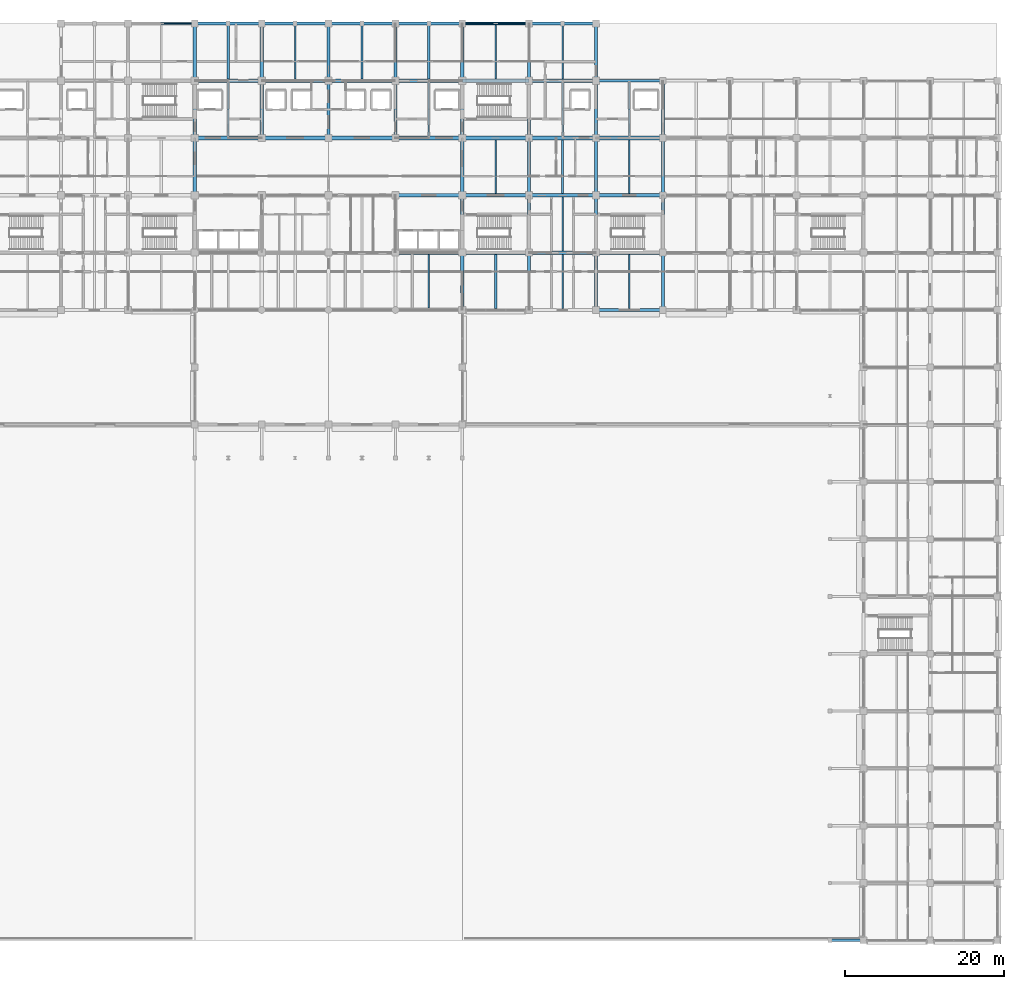
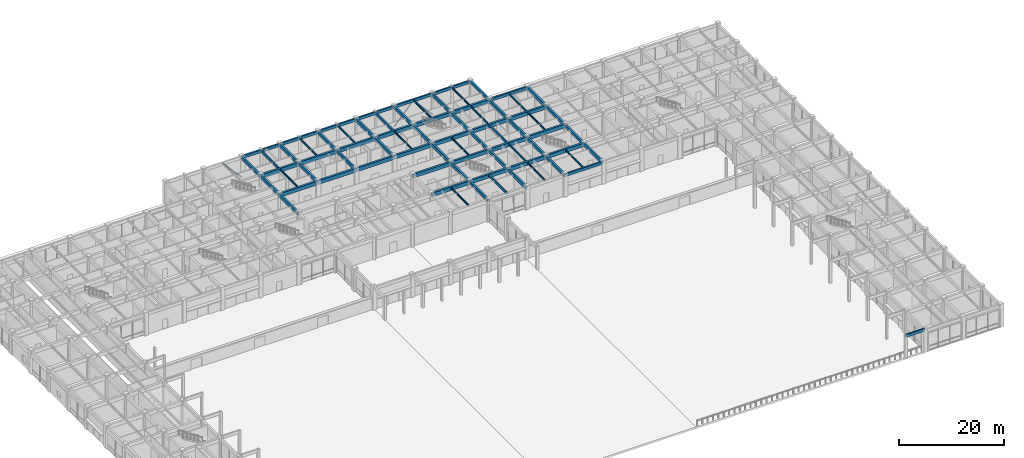
# One storey, part 23 of 73: 76 beams, 3 members.
"""IFC4 building model written with IfcOpenShell, lengths in metres."""

from ifc_helpers import new_model, si_unit, direction, frame, origin, origin_2d, place, context, subcontext, project, spatial, rectangle, hollow_circle, i_section, extrude, material, material_profile, profile_set, type_object, element, save


model = new_model("IFC4")

# Units and contexts
model_context = context("Model", 3, precision=1e-05, world=origin(), true_north=direction((0.0, 1.0)))
body_context = subcontext(model_context, "Body", "Model", "MODEL_VIEW")
ifc_project = project(units=[si_unit("LENGTHUNIT", "METRE"), si_unit("AREAUNIT", "SQUARE_METRE"), si_unit("VOLUMEUNIT", "CUBIC_METRE"), si_unit("PLANEANGLEUNIT", "RADIAN"), si_unit("MASSUNIT", "GRAM", prefix="KILO")], contexts=[model_context])

# Site, building, storey
site_placement = place(None, origin())
site = spatial("IfcSite", under=ifc_project, at=site_placement, CompositionType="ELEMENT")
building_placement = place(site_placement, origin())
building = spatial("IfcBuilding", under=site, at=building_placement, Name="Chengyuan Square Courthouse", CompositionType="ELEMENT")
storey_placement = place(building_placement, origin())
storey = spatial("IfcBuildingStorey", under=building, at=storey_placement, Name="L01", CompositionType="ELEMENT", Elevation=0.0)

# Beams
ifc_material_1 = material(Name="Concrete C40", Category="concrete")
ifc_material_profile_1 = material_profile(ifc_material_1, rectangle(XDim=0.449951171875, YDim=0.85009765625, at=origin_2d()), Name="RC-BM-450x850")
ifc_profile_set_1 = profile_set([ifc_material_profile_1], Name="Concrete C40")
beam_type_1 = type_object("IfcBeamType", Name="BM-01", PredefinedType="USERDEFINED", material=ifc_profile_set_1)
beam_1_placement = place(storey_placement, frame((92.39990234375, 86.39990234375, 4.695068359375), z_axis=(1.0, 0.0, 0.0), x_axis=(0.0, 1.0, 0.0)))
element("IfcBeam", 1, at=beam_1_placement, inside=storey, type_object=beam_type_1, Name="Girder BM-L01-1720", ObjectType="GIRDER", PredefinedType="USERDEFINED", context=body_context, shape_type="SweptSolid", body=[
    extrude(rectangle(XDim=0.449951171875, YDim=0.85009765625, at=origin_2d()), origin(), (0.0, 0.0, 1.0), 8.400146484375),
])
beam_2_placement = place(storey_placement, frame((100.800048828125, 86.39990234375, 4.695068359375), z_axis=(1.0, 0.0, 0.0), x_axis=(0.0, 1.0, 0.0)))
element("IfcBeam", 2, at=beam_2_placement, inside=storey, type_object=beam_type_1, Name="Girder BM-L01-1721", ObjectType="GIRDER", PredefinedType="USERDEFINED", context=body_context, shape_type="SweptSolid", body=[
    extrude(rectangle(XDim=0.449951171875, YDim=0.85009765625, at=origin_2d()), origin(), (0.0, 0.0, 1.0), 8.39990234375),
])
beam_3_placement = place(storey_placement, frame((109.199951171875, 86.39990234375, 4.695068359375), z_axis=(1.0, 0.0, 0.0), x_axis=(0.0, 1.0, 0.0)))
element("IfcBeam", 3, at=beam_3_placement, inside=storey, type_object=beam_type_1, Name="Girder BM-L01-1722", ObjectType="GIRDER", PredefinedType="USERDEFINED", context=body_context, shape_type="SweptSolid", body=[
    extrude(rectangle(XDim=0.449951171875, YDim=0.85009765625, at=origin_2d()), origin(), (0.0, 0.0, 1.0), 8.400146484375),
])
beam_4_placement = place(storey_placement, frame((117.60009765625, 86.39990234375, 4.695068359375), z_axis=(1.0, 0.0, 0.0), x_axis=(0.0, 1.0, 0.0)))
element("IfcBeam", 4, at=beam_4_placement, inside=storey, type_object=beam_type_1, Name="Girder BM-L01-1723", ObjectType="GIRDER", PredefinedType="USERDEFINED", context=body_context, shape_type="SweptSolid", body=[
    extrude(rectangle(XDim=0.449951171875, YDim=0.85009765625, at=origin_2d()), origin(), (0.0, 0.0, 1.0), 8.39990234375),
])
beam_5_placement = place(storey_placement, frame((92.39990234375, 93.60009765625, 4.695068359375), z_axis=(1.0, 0.0, 0.0), x_axis=(0.0, 1.0, 0.0)))
element("IfcBeam", 5, at=beam_5_placement, inside=storey, type_object=beam_type_1, Name="Girder BM-L01-1740", ObjectType="GIRDER", PredefinedType="USERDEFINED", context=body_context, shape_type="SweptSolid", body=[
    extrude(rectangle(XDim=0.449951171875, YDim=0.85009765625, at=origin_2d()), origin(), (0.0, 0.0, 1.0), 8.400146484375),
])
beam_6_placement = place(storey_placement, frame((100.800048828125, 93.60009765625, 4.695068359375), z_axis=(1.0, 0.0, 0.0), x_axis=(0.0, 1.0, 0.0)))
element("IfcBeam", 6, at=beam_6_placement, inside=storey, type_object=beam_type_1, Name="Girder BM-L01-1741", ObjectType="GIRDER", PredefinedType="USERDEFINED", context=body_context, shape_type="SweptSolid", body=[
    extrude(rectangle(XDim=0.449951171875, YDim=0.85009765625, at=origin_2d()), origin(), (0.0, 0.0, 1.0), 8.39990234375),
])
beam_7_placement = place(storey_placement, frame((109.199951171875, 93.60009765625, 4.695068359375), z_axis=(1.0, 0.0, 0.0), x_axis=(0.0, 1.0, 0.0)))
element("IfcBeam", 7, at=beam_7_placement, inside=storey, type_object=beam_type_1, Name="Girder BM-L01-1742", ObjectType="GIRDER", PredefinedType="USERDEFINED", context=body_context, shape_type="SweptSolid", body=[
    extrude(rectangle(XDim=0.449951171875, YDim=0.85009765625, at=origin_2d()), origin(), (0.0, 0.0, 1.0), 8.400146484375),
])
beam_8_placement = place(storey_placement, frame((117.60009765625, 93.60009765625, 4.695068359375), z_axis=(1.0, 0.0, 0.0), x_axis=(0.0, 1.0, 0.0)))
element("IfcBeam", 8, at=beam_8_placement, inside=storey, type_object=beam_type_1, Name="Girder BM-L01-1743", ObjectType="GIRDER", PredefinedType="USERDEFINED", context=body_context, shape_type="SweptSolid", body=[
    extrude(rectangle(XDim=0.449951171875, YDim=0.85009765625, at=origin_2d()), origin(), (0.0, 0.0, 1.0), 8.39990234375),
])
beam_9_placement = place(storey_placement, frame((67.199951171875, 100.800048828125, 4.695068359375), z_axis=(1.0, 0.0, 0.0), x_axis=(0.0, 1.0, 0.0)))
element("IfcBeam", 9, at=beam_9_placement, inside=storey, type_object=beam_type_1, Name="Girder BM-L01-1757", ObjectType="GIRDER", PredefinedType="USERDEFINED", context=body_context, shape_type="SweptSolid", body=[
    extrude(rectangle(XDim=0.449951171875, YDim=0.85009765625, at=origin_2d()), origin(), (0.0, 0.0, 1.0), 8.400146484375),
])
for number, where, z_axis, x_axis, name in (
    (10, (75.60009765625, 100.800048828125, 4.695068359375), (1.0, 0.0, 0.0), (0.0, 1.0, 0.0), "Girder BM-L01-1758"),
    (11, (84.0, 100.800048828125, 4.695068359375), (1.0, 0.0, 0.0), (0.0, 1.0, 0.0), "Girder BM-L01-1759"),
):
    element("IfcBeam", number, at=place(storey_placement, frame(where, z_axis=z_axis, x_axis=x_axis)), inside=storey, type_object=beam_type_1, Name=name, ObjectType="GIRDER", PredefinedType="USERDEFINED", context=body_context, shape_type="SweptSolid", body=[
        extrude(rectangle(XDim=0.449951171875, YDim=0.85009765625, at=origin_2d()), origin(), (0.0, 0.0, 1.0), 8.39990234375),
    ])
beam_10_placement = place(storey_placement, frame((92.39990234375, 100.800048828125, 4.695068359375), z_axis=(1.0, 0.0, 0.0), x_axis=(0.0, 1.0, 0.0)))
element("IfcBeam", 12, at=beam_10_placement, inside=storey, type_object=beam_type_1, Name="Girder BM-L01-1760", ObjectType="GIRDER", PredefinedType="USERDEFINED", context=body_context, shape_type="SweptSolid", body=[
    extrude(rectangle(XDim=0.449951171875, YDim=0.85009765625, at=origin_2d()), origin(), (0.0, 0.0, 1.0), 8.400146484375),
])
beam_11_placement = place(storey_placement, frame((100.800048828125, 100.800048828125, 4.695068359375), z_axis=(1.0, 0.0, 0.0), x_axis=(0.0, 1.0, 0.0)))
element("IfcBeam", 13, at=beam_11_placement, inside=storey, type_object=beam_type_1, Name="Girder BM-L01-1761", ObjectType="GIRDER", PredefinedType="USERDEFINED", context=body_context, shape_type="SweptSolid", body=[
    extrude(rectangle(XDim=0.449951171875, YDim=0.85009765625, at=origin_2d()), origin(), (0.0, 0.0, 1.0), 8.39990234375),
])
beam_12_placement = place(storey_placement, frame((109.199951171875, 100.800048828125, 4.695068359375), z_axis=(1.0, 0.0, 0.0), x_axis=(0.0, 1.0, 0.0)))
element("IfcBeam", 14, at=beam_12_placement, inside=storey, type_object=beam_type_1, Name="Girder BM-L01-1762", ObjectType="GIRDER", PredefinedType="USERDEFINED", context=body_context, shape_type="SweptSolid", body=[
    extrude(rectangle(XDim=0.449951171875, YDim=0.85009765625, at=origin_2d()), origin(), (0.0, 0.0, 1.0), 8.400146484375),
])
beam_13_placement = place(storey_placement, frame((117.60009765625, 100.800048828125, 4.695068359375), z_axis=(1.0, 0.0, 0.0), x_axis=(0.0, 1.0, 0.0)))
element("IfcBeam", 15, at=beam_13_placement, inside=storey, type_object=beam_type_1, Name="Girder BM-L01-1763", ObjectType="GIRDER", PredefinedType="USERDEFINED", context=body_context, shape_type="SweptSolid", body=[
    extrude(rectangle(XDim=0.449951171875, YDim=0.85009765625, at=origin_2d()), origin(), (0.0, 0.0, 1.0), 8.39990234375),
])
beam_14_placement = place(storey_placement, frame((67.199951171875, 108.0, 4.695068359375), z_axis=(1.0, 0.0, 0.0), x_axis=(0.0, 1.0, 0.0)))
element("IfcBeam", 16, at=beam_14_placement, inside=storey, type_object=beam_type_1, Name="Girder BM-L01-1777", ObjectType="GIRDER", PredefinedType="USERDEFINED", context=body_context, shape_type="SweptSolid", body=[
    extrude(rectangle(XDim=0.449951171875, YDim=0.85009765625, at=origin_2d()), origin(), (0.0, 0.0, 1.0), 8.400146484375),
])
for number, where, z_axis, x_axis, name in (
    (17, (75.60009765625, 108.0, 4.695068359375), (1.0, 0.0, 0.0), (0.0, 1.0, 0.0), "Girder BM-L01-1778"),
    (18, (84.0, 108.0, 4.695068359375), (1.0, 0.0, 0.0), (0.0, 1.0, 0.0), "Girder BM-L01-1779"),
):
    element("IfcBeam", number, at=place(storey_placement, frame(where, z_axis=z_axis, x_axis=x_axis)), inside=storey, type_object=beam_type_1, Name=name, ObjectType="GIRDER", PredefinedType="USERDEFINED", context=body_context, shape_type="SweptSolid", body=[
        extrude(rectangle(XDim=0.449951171875, YDim=0.85009765625, at=origin_2d()), origin(), (0.0, 0.0, 1.0), 8.39990234375),
    ])
beam_15_placement = place(storey_placement, frame((92.39990234375, 108.0, 4.695068359375), z_axis=(1.0, 0.0, 0.0), x_axis=(0.0, 1.0, 0.0)))
element("IfcBeam", 19, at=beam_15_placement, inside=storey, type_object=beam_type_1, Name="Girder BM-L01-1780", ObjectType="GIRDER", PredefinedType="USERDEFINED", context=body_context, shape_type="SweptSolid", body=[
    extrude(rectangle(XDim=0.449951171875, YDim=0.85009765625, at=origin_2d()), origin(), (0.0, 0.0, 1.0), 8.400146484375),
])
beam_16_placement = place(storey_placement, frame((100.800048828125, 108.0, 4.695068359375), z_axis=(1.0, 0.0, 0.0), x_axis=(0.0, 1.0, 0.0)))
element("IfcBeam", 20, at=beam_16_placement, inside=storey, type_object=beam_type_1, Name="Girder BM-L01-1781", ObjectType="GIRDER", PredefinedType="USERDEFINED", context=body_context, shape_type="SweptSolid", body=[
    extrude(rectangle(XDim=0.449951171875, YDim=0.85009765625, at=origin_2d()), origin(), (0.0, 0.0, 1.0), 8.39990234375),
])
beam_17_placement = place(storey_placement, frame((109.199951171875, 108.0, 4.695068359375), z_axis=(1.0, 0.0, 0.0), x_axis=(0.0, 1.0, 0.0)))
element("IfcBeam", 21, at=beam_17_placement, inside=storey, type_object=beam_type_1, Name="Girder BM-L01-1782", ObjectType="GIRDER", PredefinedType="USERDEFINED", context=body_context, shape_type="SweptSolid", body=[
    extrude(rectangle(XDim=0.449951171875, YDim=0.85009765625, at=origin_2d()), origin(), (0.0, 0.0, 1.0), 8.400146484375),
])
ifc_material_profile_2 = material_profile(ifc_material_1, rectangle(XDim=0.39990234375, YDim=0.75, at=origin_2d()), Name="RC-BM-400x750")
ifc_profile_set_2 = profile_set([ifc_material_profile_2], Name="Concrete C40")
beam_type_2 = type_object("IfcBeamType", Name="BM-02", PredefinedType="USERDEFINED", material=ifc_profile_set_2)
for number, where, z_axis, x_axis, name in (
    (22, (67.199951171875, 93.60009765625, 4.7451171875), (0.0, 1.0, 0.0), (-1.0, 0.0, 0.0), "Girder BM-L01-1868"),
    (23, (67.199951171875, 100.800048828125, 4.7451171875), (0.0, 1.0, 0.0), (-1.0, 0.0, 0.0), "Girder BM-L01-1869"),
    (24, (67.199951171875, 108.0, 4.7451171875), (0.0, 1.0, 0.0), (-1.0, 0.0, 0.0), "Girder BM-L01-1870"),
    (25, (75.60009765625, 100.800048828125, 4.7451171875), (0.0, 1.0, 0.0), (-1.0, 0.0, 0.0), "Girder BM-L01-1873"),
    (26, (75.60009765625, 108.0, 4.7451171875), (0.0, 1.0, 0.0), (-1.0, 0.0, 0.0), "Girder BM-L01-1874"),
    (27, (84.0, 100.800048828125, 4.7451171875), (0.0, 1.0, 0.0), (-1.0, 0.0, 0.0), "Girder BM-L01-1877"),
    (28, (84.0, 108.0, 4.7451171875), (0.0, 1.0, 0.0), (-1.0, 0.0, 0.0), "Girder BM-L01-1878"),
    (29, (92.39990234375, 100.800048828125, 4.7451171875), (0.0, 1.0, 0.0), (-1.0, 0.0, 0.0), "Girder BM-L01-1881"),
    (30, (92.39990234375, 108.0, 4.7451171875), (0.0, 1.0, 0.0), (-1.0, 0.0, 0.0), "Girder BM-L01-1882"),
    (31, (100.800048828125, 79.199951171875, 4.7451171875), (0.0, 1.0, 0.0), (-1.0, 0.0, 0.0), "Girder BM-L01-1885"),
):
    element("IfcBeam", number, at=place(storey_placement, frame(where, z_axis=z_axis, x_axis=x_axis)), inside=storey, type_object=beam_type_2, Name=name, ObjectType="GIRDER", PredefinedType="USERDEFINED", context=body_context, shape_type="SweptSolid", body=[
        extrude(rectangle(XDim=0.39990234375, YDim=0.75, at=origin_2d()), origin(), (0.0, 0.0, 1.0), 7.199951171875),
    ])
beam_18_placement = place(storey_placement, frame((100.800048828125, 86.39990234375, 4.7451171875), z_axis=(0.0, 1.0, 0.0), x_axis=(-1.0, 0.0, 0.0)))
element("IfcBeam", 32, at=beam_18_placement, inside=storey, type_object=beam_type_2, Name="Girder BM-L01-1886", ObjectType="GIRDER", PredefinedType="USERDEFINED", context=body_context, shape_type="SweptSolid", body=[
    extrude(rectangle(XDim=0.39990234375, YDim=0.75, at=origin_2d()), origin(), (0.0, 0.0, 1.0), 7.2001953125),
])
for number, where, z_axis, x_axis, name in (
    (33, (100.800048828125, 93.60009765625, 4.7451171875), (0.0, 1.0, 0.0), (-1.0, 0.0, 0.0), "Girder BM-L01-1887"),
    (34, (100.800048828125, 100.800048828125, 4.7451171875), (0.0, 1.0, 0.0), (-1.0, 0.0, 0.0), "Girder BM-L01-1888"),
    (35, (100.800048828125, 108.0, 4.7451171875), (0.0, 1.0, 0.0), (-1.0, 0.0, 0.0), "Girder BM-L01-1889"),
    (36, (109.199951171875, 79.199951171875, 4.7451171875), (0.0, 1.0, 0.0), (-1.0, 0.0, 0.0), "Girder BM-L01-1890"),
):
    element("IfcBeam", number, at=place(storey_placement, frame(where, z_axis=z_axis, x_axis=x_axis)), inside=storey, type_object=beam_type_2, Name=name, ObjectType="GIRDER", PredefinedType="USERDEFINED", context=body_context, shape_type="SweptSolid", body=[
        extrude(rectangle(XDim=0.39990234375, YDim=0.75, at=origin_2d()), origin(), (0.0, 0.0, 1.0), 7.199951171875),
    ])
beam_19_placement = place(storey_placement, frame((109.199951171875, 86.39990234375, 4.7451171875), z_axis=(0.0, 1.0, 0.0), x_axis=(-1.0, 0.0, 0.0)))
element("IfcBeam", 37, at=beam_19_placement, inside=storey, type_object=beam_type_2, Name="Girder BM-L01-1891", ObjectType="GIRDER", PredefinedType="USERDEFINED", context=body_context, shape_type="SweptSolid", body=[
    extrude(rectangle(XDim=0.39990234375, YDim=0.75, at=origin_2d()), origin(), (0.0, 0.0, 1.0), 7.2001953125),
])
for number, where, z_axis, x_axis, name in (
    (38, (109.199951171875, 93.60009765625, 4.7451171875), (0.0, 1.0, 0.0), (-1.0, 0.0, 0.0), "Girder BM-L01-1892"),
    (39, (109.199951171875, 100.800048828125, 4.7451171875), (0.0, 1.0, 0.0), (-1.0, 0.0, 0.0), "Girder BM-L01-1893"),
    (40, (109.199951171875, 108.0, 4.7451171875), (0.0, 1.0, 0.0), (-1.0, 0.0, 0.0), "Girder BM-L01-1894"),
    (41, (117.60009765625, 79.199951171875, 4.7451171875), (0.0, 1.0, 0.0), (-1.0, 0.0, 0.0), "Girder BM-L01-1895"),
):
    element("IfcBeam", number, at=place(storey_placement, frame(where, z_axis=z_axis, x_axis=x_axis)), inside=storey, type_object=beam_type_2, Name=name, ObjectType="GIRDER", PredefinedType="USERDEFINED", context=body_context, shape_type="SweptSolid", body=[
        extrude(rectangle(XDim=0.39990234375, YDim=0.75, at=origin_2d()), origin(), (0.0, 0.0, 1.0), 7.199951171875),
    ])
beam_20_placement = place(storey_placement, frame((117.60009765625, 86.39990234375, 4.7451171875), z_axis=(0.0, 1.0, 0.0), x_axis=(-1.0, 0.0, 0.0)))
element("IfcBeam", 42, at=beam_20_placement, inside=storey, type_object=beam_type_2, Name="Girder BM-L01-1896", ObjectType="GIRDER", PredefinedType="USERDEFINED", context=body_context, shape_type="SweptSolid", body=[
    extrude(rectangle(XDim=0.39990234375, YDim=0.75, at=origin_2d()), origin(), (0.0, 0.0, 1.0), 7.2001953125),
])
for number, where, z_axis, x_axis, name in (
    (43, (117.60009765625, 93.60009765625, 4.7451171875), (0.0, 1.0, 0.0), (-1.0, 0.0, 0.0), "Girder BM-L01-1897"),
    (44, (117.60009765625, 100.800048828125, 4.7451171875), (0.0, 1.0, 0.0), (-1.0, 0.0, 0.0), "Girder BM-L01-1898"),
    (45, (126.0, 79.199951171875, 4.7451171875), (0.0, 1.0, 0.0), (-1.0, 0.0, 0.0), "Girder BM-L01-1900"),
):
    element("IfcBeam", number, at=place(storey_placement, frame(where, z_axis=z_axis, x_axis=x_axis)), inside=storey, type_object=beam_type_2, Name=name, ObjectType="GIRDER", PredefinedType="USERDEFINED", context=body_context, shape_type="SweptSolid", body=[
        extrude(rectangle(XDim=0.39990234375, YDim=0.75, at=origin_2d()), origin(), (0.0, 0.0, 1.0), 7.199951171875),
    ])
beam_21_placement = place(storey_placement, frame((126.0, 86.39990234375, 4.7451171875), z_axis=(0.0, 1.0, 0.0), x_axis=(-1.0, 0.0, 0.0)))
element("IfcBeam", 46, at=beam_21_placement, inside=storey, type_object=beam_type_2, Name="Girder BM-L01-1901", ObjectType="GIRDER", PredefinedType="USERDEFINED", context=body_context, shape_type="SweptSolid", body=[
    extrude(rectangle(XDim=0.39990234375, YDim=0.75, at=origin_2d()), origin(), (0.0, 0.0, 1.0), 7.2001953125),
])
for number, where, z_axis, x_axis, name in (
    (47, (126.0, 93.60009765625, 4.7451171875), (0.0, 1.0, 0.0), (-1.0, 0.0, 0.0), "Girder BM-L01-1902"),
    (48, (126.0, 100.800048828125, 4.7451171875), (0.0, 1.0, 0.0), (-1.0, 0.0, 0.0), "Girder BM-L01-1903"),
):
    element("IfcBeam", number, at=place(storey_placement, frame(where, z_axis=z_axis, x_axis=x_axis)), inside=storey, type_object=beam_type_2, Name=name, ObjectType="GIRDER", PredefinedType="USERDEFINED", context=body_context, shape_type="SweptSolid", body=[
        extrude(rectangle(XDim=0.39990234375, YDim=0.75, at=origin_2d()), origin(), (0.0, 0.0, 1.0), 7.199951171875),
    ])
ifc_material_profile_3 = material_profile(ifc_material_1, rectangle(XDim=0.35009765625, YDim=0.64990234375, at=origin_2d()), Name="RC-BM-350x650")
ifc_profile_set_3 = profile_set([ifc_material_profile_3], Name="Concrete C40")
beam_type_3 = type_object("IfcBeamType", Name="BM-03", PredefinedType="SPANDREL", material=ifc_profile_set_3)
for number, where, z_axis, x_axis, name in (
    (49, (117.60009765625, 79.199951171875, 4.794921875), (1.0, 0.0, 0.0), (0.0, 1.0, 0.0), "Girder BM-L01-1703"),
    (50, (117.60009765625, 108.0, 4.794921875), (1.0, 0.0, 0.0), (0.0, 1.0, 0.0), "Girder BM-L01-1783"),
):
    element("IfcBeam", number, at=place(storey_placement, frame(where, z_axis=z_axis, x_axis=x_axis)), inside=storey, type_object=beam_type_3, Name=name, PredefinedType="SPANDREL", context=body_context, shape_type="SweptSolid", body=[
        extrude(rectangle(XDim=0.35009765625, YDim=0.64990234375, at=origin_2d()), origin(), (0.0, 0.0, 1.0), 8.39990234375),
    ])
beam_22_placement = place(storey_placement, frame((67.199951171875, 115.199951171875, 4.794921875), z_axis=(1.0, 0.0, 0.0), x_axis=(0.0, 1.0, 0.0)))
element("IfcBeam", 51, at=beam_22_placement, inside=storey, type_object=beam_type_3, Name="Girder BM-L01-1791", PredefinedType="SPANDREL", context=body_context, shape_type="SweptSolid", body=[
    extrude(rectangle(XDim=0.35009765625, YDim=0.64990234375, at=origin_2d()), origin(), (0.0, 0.0, 1.0), 8.400146484375),
])
for number, where, z_axis, x_axis, name in (
    (52, (75.60009765625, 115.199951171875, 4.794921875), (1.0, 0.0, 0.0), (0.0, 1.0, 0.0), "Girder BM-L01-1792"),
    (53, (84.0, 115.199951171875, 4.794921875), (1.0, 0.0, 0.0), (0.0, 1.0, 0.0), "Girder BM-L01-1793"),
):
    element("IfcBeam", number, at=place(storey_placement, frame(where, z_axis=z_axis, x_axis=x_axis)), inside=storey, type_object=beam_type_3, Name=name, PredefinedType="SPANDREL", context=body_context, shape_type="SweptSolid", body=[
        extrude(rectangle(XDim=0.35009765625, YDim=0.64990234375, at=origin_2d()), origin(), (0.0, 0.0, 1.0), 8.39990234375),
    ])
beam_23_placement = place(storey_placement, frame((92.39990234375, 115.199951171875, 4.794921875), z_axis=(1.0, 0.0, 0.0), x_axis=(0.0, 1.0, 0.0)))
element("IfcBeam", 54, at=beam_23_placement, inside=storey, type_object=beam_type_3, Name="Girder BM-L01-1794", PredefinedType="SPANDREL", context=body_context, shape_type="SweptSolid", body=[
    extrude(rectangle(XDim=0.35009765625, YDim=0.64990234375, at=origin_2d()), origin(), (0.0, 0.0, 1.0), 8.400146484375),
])
beam_24_placement = place(storey_placement, frame((100.800048828125, 115.199951171875, 4.794921875), z_axis=(1.0, 0.0, 0.0), x_axis=(0.0, 1.0, 0.0)))
element("IfcBeam", 55, at=beam_24_placement, inside=storey, type_object=beam_type_3, Name="Girder BM-L01-1795", PredefinedType="SPANDREL", context=body_context, shape_type="SweptSolid", body=[
    extrude(rectangle(XDim=0.35009765625, YDim=0.64990234375, at=origin_2d()), origin(), (0.0, 0.0, 1.0), 8.39990234375),
])
beam_25_placement = place(storey_placement, frame((109.199951171875, 115.199951171875, 4.794921875), z_axis=(1.0, 0.0, 0.0), x_axis=(0.0, 1.0, 0.0)))
element("IfcBeam", 56, at=beam_25_placement, inside=storey, type_object=beam_type_3, Name="Girder BM-L01-1796", PredefinedType="SPANDREL", context=body_context, shape_type="SweptSolid", body=[
    extrude(rectangle(XDim=0.35009765625, YDim=0.64990234375, at=origin_2d()), origin(), (0.0, 0.0, 1.0), 8.400146484375),
])
beam_26_placement = place(storey_placement, frame((117.60009765625, 108.0, 4.794921875), z_axis=(0.0, 1.0, 0.0), x_axis=(-1.0, 0.0, 0.0)))
element("IfcBeam", 57, at=beam_26_placement, inside=storey, type_object=beam_type_3, Name="Girder BM-L01-1899", PredefinedType="SPANDREL", context=body_context, shape_type="SweptSolid", body=[
    extrude(rectangle(XDim=0.35009765625, YDim=0.64990234375, at=origin_2d()), origin(), (0.0, 0.0, 1.0), 7.199951171875),
])
ifc_material_profile_4 = material_profile(ifc_material_1, rectangle(XDim=0.300048828125, YDim=0.550048828125, at=origin_2d()), Name="RC-BM-300x550")
ifc_profile_set_4 = profile_set([ifc_material_profile_4], Name="Concrete C40")
beam_type_4 = type_object("IfcBeamType", Name="BM-04", PredefinedType="BEAM", material=ifc_profile_set_4)
for number, where, z_axis, x_axis, name in (
    (58, (71.39990234375, 108.22509765625, 4.844970703125), (0.0, 1.0, 0.0), (-1.0, 0.0, 0.0), "Secondary Floor Beam SBM-L01-2010"),
    (59, (96.60009765625, 108.22509765625, 4.844970703125), (0.0, 1.0, 0.0), (-1.0, 0.0, 0.0), "Secondary Floor Beam SBM-L01-2019"),
):
    element("IfcBeam", number, at=place(storey_placement, frame(where, z_axis=z_axis, x_axis=x_axis)), inside=storey, type_object=beam_type_4, Name=name, PredefinedType="BEAM", context=body_context, shape_type="SweptSolid", body=[
        extrude(rectangle(XDim=0.300048828125, YDim=0.550048828125, at=origin_2d()), origin(), (0.0, 0.0, 1.0), 6.7998046875),
    ])
beam_27_placement = place(storey_placement, frame((105.0, 79.375, 4.844970703125), z_axis=(0.0, 1.0, 0.0), x_axis=(-1.0, 0.0, 0.0)))
element("IfcBeam", 60, at=beam_27_placement, inside=storey, type_object=beam_type_4, Name="Secondary Floor Beam SBM-L01-2020", PredefinedType="BEAM", context=body_context, shape_type="SweptSolid", body=[
    extrude(rectangle(XDim=0.300048828125, YDim=0.550048828125, at=origin_2d()), origin(), (0.0, 0.0, 1.0), 6.800048828125),
])
beam_28_placement = place(storey_placement, frame((113.39990234375, 93.824951171875, 4.844970703125), z_axis=(0.0, 1.0, 0.0), x_axis=(-1.0, 0.0, 0.0)))
element("IfcBeam", 61, at=beam_28_placement, inside=storey, type_object=beam_type_4, Name="Secondary Floor Beam SBM-L01-2025", PredefinedType="BEAM", context=body_context, shape_type="SweptSolid", body=[
    extrude(rectangle(XDim=0.300048828125, YDim=0.550048828125, at=origin_2d()), origin(), (0.0, 0.0, 1.0), 6.75),
])
ifc_material_2 = material(Name="Steel Q355B", Category="steel")
ifc_material_profile_5 = material_profile(ifc_material_2, i_section(OverallWidth=0.199951171875, OverallDepth=0.449951171875, WebThickness=0.009033203125, FlangeThickness=0.013916015625, at=origin_2d()), Name="HN 450x200x9x14")
ifc_profile_set_5 = profile_set([ifc_material_profile_5], Name="Steel Q355B")
beam_type_5 = type_object("IfcBeamType", Name="BM-06", PredefinedType="BEAM", material=ifc_profile_set_5)
for number, where, z_axis, x_axis, name in (
    (62, (79.800048828125, 108.22509765625, 4.89501953125), (0.0, 1.0, 0.0), (-1.0, 0.0, 0.0), "Secondary Floor Beam SBM-L01-2013"),
    (63, (105.0, 108.22509765625, 4.89501953125), (0.0, 1.0, 0.0), (-1.0, 0.0, 0.0), "Secondary Floor Beam SBM-L01-2022"),
):
    element("IfcBeam", number, at=place(storey_placement, frame(where, z_axis=z_axis, x_axis=x_axis)), inside=storey, type_object=beam_type_5, Name=name, PredefinedType="BEAM", context=body_context, shape_type="SweptSolid", body=[
        extrude(i_section(OverallWidth=0.199951171875, OverallDepth=0.449951171875, WebThickness=0.009033203125, FlangeThickness=0.013916015625, at=origin_2d()), origin(), (0.0, 0.0, 1.0), 6.7998046875),
    ])
beam_29_placement = place(storey_placement, frame((113.39990234375, 79.375, 4.89501953125), z_axis=(0.0, 1.0, 0.0), x_axis=(-1.0, 0.0, 0.0)))
element("IfcBeam", 64, at=beam_29_placement, inside=storey, type_object=beam_type_5, Name="Secondary Floor Beam SBM-L01-2023", PredefinedType="BEAM", context=body_context, shape_type="SweptSolid", body=[
    extrude(i_section(OverallWidth=0.199951171875, OverallDepth=0.449951171875, WebThickness=0.009033203125, FlangeThickness=0.013916015625, at=origin_2d()), origin(), (0.0, 0.0, 1.0), 6.800048828125),
])
for number, where, z_axis, x_axis, name in (
    (65, (113.39990234375, 101.02490234375, 4.89501953125), (0.0, 1.0, 0.0), (-1.0, 0.0, 0.0), "Secondary Floor Beam SBM-L01-2026"),
    (66, (121.800048828125, 93.824951171875, 4.89501953125), (0.0, 1.0, 0.0), (-1.0, 0.0, 0.0), "Secondary Floor Beam SBM-L01-2029"),
):
    element("IfcBeam", number, at=place(storey_placement, frame(where, z_axis=z_axis, x_axis=x_axis)), inside=storey, type_object=beam_type_5, Name=name, PredefinedType="BEAM", context=body_context, shape_type="SweptSolid", body=[
        extrude(i_section(OverallWidth=0.199951171875, OverallDepth=0.449951171875, WebThickness=0.009033203125, FlangeThickness=0.013916015625, at=origin_2d()), origin(), (0.0, 0.0, 1.0), 6.75),
    ])
ifc_material_profile_6 = material_profile(ifc_material_2, i_section(OverallWidth=0.199951171875, OverallDepth=0.39990234375, WebThickness=0.008056640625, FlangeThickness=0.012939453125, at=origin_2d()), Name="HN 400x200x8x13")
ifc_profile_set_6 = profile_set([ifc_material_profile_6], Name="Steel Q355B")
beam_type_6 = type_object("IfcBeamType", Name="BM-07", PredefinedType="BEAM", material=ifc_profile_set_6)
beam_30_placement = place(storey_placement, frame((71.39990234375, 101.02490234375, 4.919921875), z_axis=(0.0, 1.0, 0.0), x_axis=(-1.0, 0.0, 0.0)))
element("IfcBeam", 67, at=beam_30_placement, inside=storey, type_object=beam_type_6, Name="Secondary Floor Beam SBM-L01-2009", PredefinedType="BEAM", context=body_context, shape_type="SweptSolid", body=[
    extrude(i_section(OverallWidth=0.199951171875, OverallDepth=0.39990234375, WebThickness=0.008056640625, FlangeThickness=0.012939453125, at=origin_2d()), origin(), (0.0, 0.0, 1.0), 6.75),
])
beam_31_placement = place(storey_placement, frame((88.199951171875, 108.22509765625, 4.919921875), z_axis=(0.0, 1.0, 0.0), x_axis=(-1.0, 0.0, 0.0)))
element("IfcBeam", 68, at=beam_31_placement, inside=storey, type_object=beam_type_6, Name="Secondary Floor Beam SBM-L01-2016", PredefinedType="BEAM", context=body_context, shape_type="SweptSolid", body=[
    extrude(i_section(OverallWidth=0.199951171875, OverallDepth=0.39990234375, WebThickness=0.008056640625, FlangeThickness=0.012939453125, at=origin_2d()), origin(), (0.0, 0.0, 1.0), 6.7998046875),
])
for number, where, z_axis, x_axis, name in (
    (69, (96.60009765625, 79.425048828125, 4.919921875), (0.0, 1.0, 0.0), (-1.0, 0.0, 0.0), "Secondary Floor Beam SBM-L01-2017"),
    (70, (96.60009765625, 101.02490234375, 4.919921875), (0.0, 1.0, 0.0), (-1.0, 0.0, 0.0), "Secondary Floor Beam SBM-L01-2018"),
    (71, (105.0, 93.824951171875, 4.919921875), (0.0, 1.0, 0.0), (-1.0, 0.0, 0.0), "Secondary Floor Beam SBM-L01-2021"),
    (72, (113.39990234375, 86.625, 4.919921875), (0.0, 1.0, 0.0), (-1.0, 0.0, 0.0), "Secondary Floor Beam SBM-L01-2024"),
):
    element("IfcBeam", number, at=place(storey_placement, frame(where, z_axis=z_axis, x_axis=x_axis)), inside=storey, type_object=beam_type_6, Name=name, PredefinedType="BEAM", context=body_context, shape_type="SweptSolid", body=[
        extrude(i_section(OverallWidth=0.199951171875, OverallDepth=0.39990234375, WebThickness=0.008056640625, FlangeThickness=0.012939453125, at=origin_2d()), origin(), (0.0, 0.0, 1.0), 6.75),
    ])
beam_32_placement = place(storey_placement, frame((113.39990234375, 108.22509765625, 4.919921875), z_axis=(0.0, 1.0, 0.0), x_axis=(-1.0, 0.0, 0.0)))
element("IfcBeam", 73, at=beam_32_placement, inside=storey, type_object=beam_type_6, Name="Secondary Floor Beam SBM-L01-2027", PredefinedType="BEAM", context=body_context, shape_type="SweptSolid", body=[
    extrude(i_section(OverallWidth=0.199951171875, OverallDepth=0.39990234375, WebThickness=0.008056640625, FlangeThickness=0.012939453125, at=origin_2d()), origin(), (0.0, 0.0, 1.0), 6.7998046875),
])
for number, where, z_axis, x_axis, name in (
    (74, (121.800048828125, 79.375, 4.919921875), (0.0, 1.0, 0.0), (-1.0, 0.0, 0.0), "Secondary Floor Beam SBM-L01-2028"),
    (75, (121.800048828125, 101.02490234375, 4.919921875), (0.0, 1.0, 0.0), (-1.0, 0.0, 0.0), "Secondary Floor Beam SBM-L01-2030"),
):
    element("IfcBeam", number, at=place(storey_placement, frame(where, z_axis=z_axis, x_axis=x_axis)), inside=storey, type_object=beam_type_6, Name=name, PredefinedType="BEAM", context=body_context, shape_type="SweptSolid", body=[
        extrude(i_section(OverallWidth=0.199951171875, OverallDepth=0.39990234375, WebThickness=0.008056640625, FlangeThickness=0.012939453125, at=origin_2d()), origin(), (0.0, 0.0, 1.0), 6.800048828125),
    ])

# Members
ifc_material_profile_7 = material_profile(ifc_material_2, hollow_circle(Radius=0.136474609375, WallThickness=0.010009765625, at=origin_2d()), Name="CHS 273x10")
ifc_profile_set_7 = profile_set([ifc_material_profile_7], Name="Steel Q355B")
member_type = type_object("IfcMemberType", Name="BR-01", PredefinedType="BRACE", material=ifc_profile_set_7)
for number, where, z_axis, x_axis, name in (
    (76, (67.199951171875, 115.199951171875, 0.10009765625), (-0.668702684729, 0.0, 0.743529904871), (0.0, -1.0, 0.0), "Steel Chevron Brace BR-L01-002"),
    (77, (100.800048828125, 115.199951171875, 0.10009765625), (0.668702684729, 0.0, 0.743529904871), (0.0, 1.0, 0.0), "Steel Chevron Brace BR-L01-003"),
    (78, (109.199951171875, 115.199951171875, 0.10009765625), (-0.668702684729, 0.0, 0.743529904871), (0.0, -1.0, 0.0), "Steel Chevron Brace BR-L01-004"),
):
    element("IfcMember", number, at=place(storey_placement, frame(where, z_axis=z_axis, x_axis=x_axis)), inside=storey, type_object=member_type, Name=name, PredefinedType="BRACE", context=body_context, shape_type="SweptSolid", body=[
        extrude(hollow_circle(Radius=0.136474609375, WallThickness=0.010009765625, at=origin_2d()), origin(), (0.0, 0.0, 1.0), 6.28076171875),
    ])

# Beam
ifc_material_3 = material(Name="Glulam TCt28", Category="wood")
ifc_material_profile_8 = material_profile(ifc_material_3, rectangle(XDim=0.280029296875, YDim=0.679931640625, at=origin_2d()), Name="GL-BM-280x680")
ifc_profile_set_8 = profile_set([ifc_material_profile_8], Name="Glulam TCt28")
beam_type_7 = type_object("IfcBeamType", Name="GLB-01", PredefinedType="BEAM", material=ifc_profile_set_8)
beam_33_placement = place(storey_placement, frame((151.199951171875, 0.0, 5.06005859375), z_axis=(-1.0, 0.0, 0.0), x_axis=(0.0, -1.0, 0.0)))
element("IfcBeam", 79, at=beam_33_placement, inside=storey, type_object=beam_type_7, Name="Glulam Colonnade Portal Beam GLB-L01-002", PredefinedType="BEAM", context=body_context, shape_type="SweptSolid", body=[
    extrude(rectangle(XDim=0.280029296875, YDim=0.679931640625, at=origin_2d()), origin(), (0.0, 0.0, 1.0), 4.199951171875),
])

save(model, "model.ifc")
